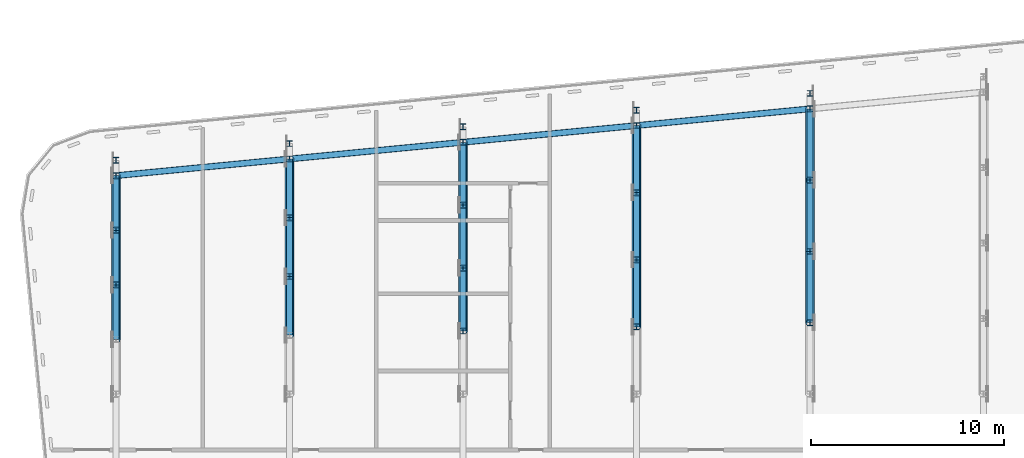
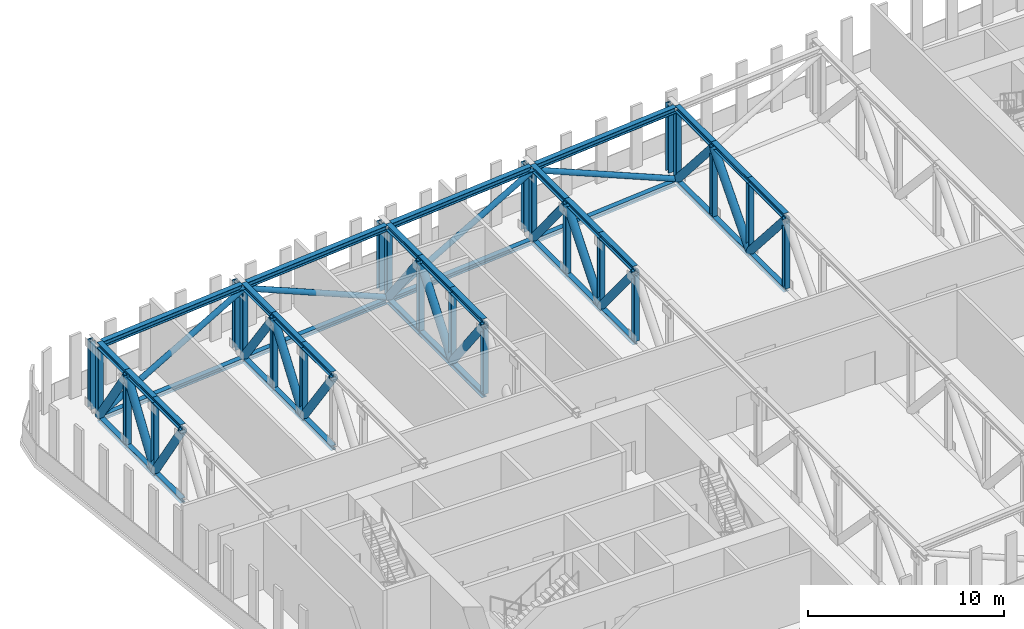
# One storey, part 4 of 22: 80 members.
"""IFC4 building model written with IfcOpenShell, lengths in metres."""

import ifcopenshell
import ifcopenshell.guid

model = None  # the IFC model being written
_history = None  # IfcOwnerHistory: only IFC2X3 demands one
_inside = {}  # id of a spatial element -> (the spatial element, [elements in it])
_under = {}  # id of a project, library or spatial element -> (it, [spatial elements below it])
_declared = {}  # id of a project -> (the project, [libraries it declares])
_typed = {}  # id of a type object -> (the type object, [elements of that type])
_made_of = {}  # id of a material, layer set ... -> (it, [elements and type objects made of it])


def new_model(schema):
    """Start an empty IFC model of exactly this schema.

    Asked for "IFC4X3", IfcOpenShell would pick the latest addendum, in which some entities
    have other attributes; the version numbers below select the first issue.
    IFC2X3 requires an IfcOwnerHistory on every rooted entity: one is made here for all.
    """
    global model, _history
    if schema == "IFC4X3":
        model = ifcopenshell.file(schema_version=(4, 3, 0, 0))
    else:
        model = ifcopenshell.file(schema=schema)
    _inside.clear()
    _under.clear()
    _declared.clear()
    _typed.clear()
    _made_of.clear()
    _history = None
    if model.schema == "IFC2X3":
        org = make("IfcOrganization", Name="unknown")
        user = make(
            "IfcPersonAndOrganization",
            ThePerson=make("IfcPerson", FamilyName="unknown"),
            TheOrganization=org,
        )
        app = make(
            "IfcApplication",
            ApplicationDeveloper=org,
            Version="unknown",
            ApplicationFullName="unknown",
            ApplicationIdentifier="unknown",
        )
        _history = make(
            "IfcOwnerHistory",
            OwningUser=user,
            OwningApplication=app,
            ChangeAction="ADDED",
            CreationDate=0,
        )
    return model


def make(cls, **values):
    """One entity of the class cls with the attributes given. An attribute that is None is left unset."""
    return model.create_entity(
        cls, **{name: value for name, value in values.items() if value is not None}
    )


def rooted(cls, **values):
    """An entity with a GlobalId (a new one), such as an element, a storey or a relation."""
    return make(cls, GlobalId=ifcopenshell.guid.new(), OwnerHistory=_history, **values)


def si_unit(unit_type, name, prefix=None):
    """IfcSIUnit, for example si_unit("LENGTHUNIT", "METRE", prefix="MILLI")."""
    return make("IfcSIUnit", UnitType=unit_type, Prefix=prefix, Name=name)


def assignment(units):
    """IfcUnitAssignment: the units of a project."""
    return None if units is None else make("IfcUnitAssignment", Units=units)


def point(xyz):
    """IfcCartesianPoint."""
    return None if xyz is None else make("IfcCartesianPoint", Coordinates=xyz)


def direction(xyz):
    """IfcDirection."""
    return None if xyz is None else make("IfcDirection", DirectionRatios=xyz)


def frame(location, z_axis=None, x_axis=None):
    """IfcAxis2Placement3D, a coordinate frame: its origin and axes. An axis left out is left unset."""
    return make(
        "IfcAxis2Placement3D",
        Location=point(location),
        Axis=direction(z_axis),
        RefDirection=direction(x_axis),
    )


def frame_2d(location, x_axis=None):
    """IfcAxis2Placement2D, a coordinate frame in the plane: its origin and x axis."""
    return make(
        "IfcAxis2Placement2D", Location=point(location), RefDirection=direction(x_axis)
    )


def origin():
    """The frame at (0, 0, 0) with its axes left unset."""
    return frame((0.0, 0.0, 0.0))


def origin_2d():
    """The frame at (0, 0) in the plane with its x axis left unset."""
    return frame_2d((0.0, 0.0))


def place(relative_to, where):
    """IfcLocalPlacement: puts the frame where relative to a parent placement (None: the world)."""
    return make(
        "IfcLocalPlacement", PlacementRelTo=relative_to, RelativePlacement=where
    )


def context(
    kind, dimensions, precision=None, world=None, true_north=None, identifier=None
):
    """IfcGeometricRepresentationContext, for example the 3D "Model" context."""
    return make(
        "IfcGeometricRepresentationContext",
        ContextIdentifier=identifier,
        ContextType=kind,
        CoordinateSpaceDimension=dimensions,
        Precision=precision,
        WorldCoordinateSystem=world,
        TrueNorth=true_north,
    )


def subcontext(parent, identifier, kind, view, scale=None):
    """IfcGeometricRepresentationSubContext, for example "Body" below "Model"."""
    return make(
        "IfcGeometricRepresentationSubContext",
        ContextIdentifier=identifier,
        ContextType=kind,
        ParentContext=parent,
        TargetScale=scale,
        TargetView=view,
    )


def project(units=None, contexts=None):
    """IfcProject with its units and contexts."""
    return rooted(
        "IfcProject",
        Name="project",
        RepresentationContexts=contexts,
        UnitsInContext=assignment(units),
    )


def spatial(cls, under=None, at=None, **own):
    """A site, building, storey or space (cls), placed at a placement, below another one or the project."""
    s = rooted(cls, ObjectPlacement=at, **own)
    if under is not None:
        _under.setdefault(under.id(), (under, []))[1].append(s)
    return s


def profile(cls, at=None, kind="AREA", **sizes):
    """A parametric profile (cls). Its sizes go by their IFC names, for example OverallWidth=200.0."""
    return make(cls, ProfileType=kind, Position=at, **sizes)


def hollow_circle(**sizes):
    """IfcCircleHollowProfileDef."""
    return profile("IfcCircleHollowProfileDef", **sizes)


def i_section(**sizes):
    """IfcIShapeProfileDef."""
    return profile("IfcIShapeProfileDef", **sizes)


def extrude(swept, where, along, depth):
    """IfcExtrudedAreaSolid: the profile swept, set in the frame where, extruded along a direction by depth."""
    return make(
        "IfcExtrudedAreaSolid",
        SweptArea=swept,
        Position=where,
        ExtrudedDirection=direction(along),
        Depth=depth,
    )


def shape(context_of_items, identifier, shape_type, items):
    """IfcShapeRepresentation: the items that make up one representation, for example the "Body"."""
    return make(
        "IfcShapeRepresentation",
        ContextOfItems=context_of_items,
        RepresentationIdentifier=identifier,
        RepresentationType=shape_type,
        Items=items,
    )


def material(Name=None, Category=None):
    """IfcMaterial."""
    return make("IfcMaterial", Name=Name, Category=Category)


def material_profile(
    of_material, cross_section, Name=None, Category=None, Priority=None
):
    """IfcMaterialProfile: a cross section and its material."""
    return make(
        "IfcMaterialProfile",
        Name=Name,
        Material=of_material,
        Profile=cross_section,
        Priority=Priority,
        Category=Category,
    )


def profile_set(profiles, Name=None, composite=None):
    """IfcMaterialProfileSet."""
    return make(
        "IfcMaterialProfileSet",
        Name=Name,
        MaterialProfiles=profiles,
        CompositeProfile=composite,
    )


def made_of(thing, what):
    """Note that an element or type object is made of a material, layer set ...; save() writes the relation."""
    if what is not None:
        _made_of.setdefault(what.id(), (what, []))[1].append(thing)
    return thing


def type_object(cls, material=None, **own):
    """A type object (cls), such as IfcWallType, which elements share."""
    return made_of(rooted(cls, **own), material)


def element(
    cls,
    number,
    at=None,
    inside=None,
    cuts=None,
    type_object=None,
    material=None,
    context=None,
    identifier="Body",
    shape_type=None,
    held_by="IfcProductDefinitionShape",
    body=None,
    shapes=None,
    **own,
):
    """One element of the class cls, such as IfcWall. Its Tag is "e" and its number.

    at: its placement. inside: the storey or other place that contains it. cuts: it is an
    opening in that element (IfcRelVoidsElement). A single representation is given by context,
    identifier, shape_type and body (its items); several are given by shapes. held_by: the class
    of the entity that holds the representations. save() writes the other relations.
    """
    e = rooted(cls, Tag="e%d" % number, ObjectPlacement=at, **own)
    if body is not None:
        shapes = [shape(context, identifier, shape_type, body)]
    if shapes is not None:
        e.Representation = make(held_by, Representations=shapes)
    if inside is not None:
        _inside.setdefault(inside.id(), (inside, []))[1].append(e)
    if cuts is not None:
        rooted(
            "IfcRelVoidsElement", RelatingBuildingElement=cuts, RelatedOpeningElement=e
        )
    if type_object is not None:
        _typed.setdefault(type_object.id(), (type_object, []))[1].append(e)
    return made_of(e, material)


def aggregate(whole, parts):
    """IfcRelAggregates: a whole, such as a stair, and the parts it consists of."""
    return rooted("IfcRelAggregates", RelatingObject=whole, RelatedObjects=parts)


def save(model, path):
    """Write the relations noted so far, then the file.

    IfcRelAggregates (storeys below a building ...), IfcRelContainedInSpatialStructure (elements
    in a storey), IfcRelDefinesByType, IfcRelAssociatesMaterial and IfcRelDeclares: one each for
    every whole, place, type object, material and project.
    """
    for whole, parts in _under.values():
        aggregate(whole, parts)
    for where, things in _inside.values():
        rooted(
            "IfcRelContainedInSpatialStructure",
            RelatedElements=things,
            RelatingStructure=where,
        )
    for kind, things in _typed.values():
        rooted("IfcRelDefinesByType", RelatedObjects=things, RelatingType=kind)
    for what, things in _made_of.values():
        rooted("IfcRelAssociatesMaterial", RelatedObjects=things, RelatingMaterial=what)
    for by, libraries in _declared.values():
        rooted("IfcRelDeclares", RelatingContext=by, RelatedDefinitions=libraries)
    model.write(path)


model = new_model("IFC4")

# Units and contexts
model_context = context("Model", 3, precision=1e-05, world=origin(), true_north=direction((0.0, 1.0)))
body_context = subcontext(model_context, "Body", "Model", "MODEL_VIEW")
ifc_project = project(units=[si_unit("LENGTHUNIT", "METRE"), si_unit("AREAUNIT", "SQUARE_METRE"), si_unit("VOLUMEUNIT", "CUBIC_METRE"), si_unit("PLANEANGLEUNIT", "RADIAN"), si_unit("MASSUNIT", "GRAM", prefix="KILO")], contexts=[model_context])

# Site, building, storey
site_placement = place(None, origin())
site = spatial("IfcSite", under=ifc_project, at=site_placement, CompositionType="ELEMENT")
building_placement = place(site_placement, origin())
building = spatial("IfcBuilding", under=site, at=building_placement, Name="Kajstack Hotel Tower", CompositionType="ELEMENT")
storey_placement = place(building_placement, frame((0.0, 0.0, 150.39990234375)))
storey = spatial("IfcBuildingStorey", under=building, at=storey_placement, Name="L35", CompositionType="ELEMENT", Elevation=150.39990234375)

# Members
ifc_material = material(Name="Steel S355J2", Category="steel")
ifc_material_profile_1 = material_profile(ifc_material, i_section(OverallWidth=0.300048828125, OverallDepth=0.2900390625, WebThickness=0.008544921875, FlangeThickness=0.013916015625, FilletRadius=0.027099609375, at=origin_2d()), Name="HEA 300")
ifc_profile_set_1 = profile_set([ifc_material_profile_1], Name="Steel S355J2")
member_type_1 = type_object("IfcMemberType", Name="Belt truss bottom chord BB3 HEA 300", PredefinedType="CHORD", material=ifc_profile_set_1)
for number, where, z_axis, x_axis, name in (
    (1, (-35.8505859375, 15.83740234375, -0.14501953125), (0.995395510024, 0.095852900965, 0.0), (-0.095852900965, 0.995395510024, 0.0), "S-belt-truss-L35-n01-b"),
    (2, (-26.8505859375, 16.7041015625, -0.14501953125), (0.995395510024, 0.095852900965, 0.0), (-0.095852900965, 0.995395510024, 0.0), "S-belt-truss-L35-n02-b"),
    (3, (-17.8505859375, 17.57080078125, -0.14501953125), (0.995398174412, 0.095825228294, 0.0), (-0.095825228294, 0.995398174412, 0.0), "S-belt-truss-L35-n03-b"),
    (4, (-8.8505859375, 18.437255859375, -0.14501953125), (0.995395510024, 0.095852900965, 0.0), (-0.095852900965, 0.995395510024, 0.0), "S-belt-truss-L35-n04-b"),
):
    element("IfcMember", number, at=place(storey_placement, frame(where, z_axis=z_axis, x_axis=x_axis)), inside=storey, type_object=member_type_1, Name=name, PredefinedType="CHORD", context=body_context, shape_type="SweptSolid", body=[
        extrude(i_section(OverallWidth=0.300048828125, OverallDepth=0.2900390625, WebThickness=0.008544921875, FlangeThickness=0.013916015625, FilletRadius=0.027099609375, at=origin_2d()), origin(), (0.0, 0.0, 1.0), 8.741455078125),
    ])
ifc_material_profile_2 = material_profile(ifc_material, i_section(OverallWidth=0.300048828125, OverallDepth=0.2900390625, WebThickness=0.008544921875, FlangeThickness=0.013916015625, FilletRadius=0.027099609375, at=origin_2d()), Name="HEA 300")
ifc_profile_set_2 = profile_set([ifc_material_profile_2], Name="Steel S355J2")
member_type_2 = type_object("IfcMemberType", Name="Belt truss bottom chord BC3 HEA 300", PredefinedType="CHORD", material=ifc_profile_set_2)
member_1_placement = place(storey_placement, frame((-36.0, 7.330810546875, -0.14501953125), z_axis=(0.0, 1.0, 0.0), x_axis=(-1.0, 0.0, 0.0)))
element("IfcMember", 5, at=member_1_placement, inside=storey, type_object=member_type_2, Name="S-belt-truss-L35--36p0-1-bc9", PredefinedType="CHORD", context=body_context, shape_type="SweptSolid", body=[
    extrude(i_section(OverallWidth=0.300048828125, OverallDepth=0.2900390625, WebThickness=0.008544921875, FlangeThickness=0.013916015625, FilletRadius=0.027099609375, at=origin_2d()), origin(), (0.0, 0.0, 1.0), 2.830810546875),
])
member_2_placement = place(storey_placement, frame((-36.0, 10.16162109375, -0.14501953125), z_axis=(0.0, 1.0, 0.0), x_axis=(-1.0, 0.0, 0.0)))
element("IfcMember", 6, at=member_2_placement, inside=storey, type_object=member_type_2, Name="S-belt-truss-L35--36p0-1-bc10", PredefinedType="CHORD", context=body_context, shape_type="SweptSolid", body=[
    extrude(i_section(OverallWidth=0.300048828125, OverallDepth=0.2900390625, WebThickness=0.008544921875, FlangeThickness=0.013916015625, FilletRadius=0.027099609375, at=origin_2d()), origin(), (0.0, 0.0, 1.0), 2.83056640625),
])
member_3_placement = place(storey_placement, frame((-36.0, 12.9921875, -0.14501953125), z_axis=(0.0, 1.0, 0.0), x_axis=(-1.0, 0.0, 0.0)))
element("IfcMember", 7, at=member_3_placement, inside=storey, type_object=member_type_2, Name="S-belt-truss-L35--36p0-1-bc11", PredefinedType="CHORD", context=body_context, shape_type="SweptSolid", body=[
    extrude(i_section(OverallWidth=0.300048828125, OverallDepth=0.2900390625, WebThickness=0.008544921875, FlangeThickness=0.013916015625, FilletRadius=0.027099609375, at=origin_2d()), origin(), (0.0, 0.0, 1.0), 2.830810546875),
])
member_4_placement = place(storey_placement, frame((-27.0, 7.54736328125, -0.14501953125), z_axis=(0.0, 1.0, 0.0), x_axis=(-1.0, 0.0, 0.0)))
element("IfcMember", 8, at=member_4_placement, inside=storey, type_object=member_type_2, Name="S-outrigger-truss-L35--27p0-1-bc9", PredefinedType="CHORD", context=body_context, shape_type="SweptSolid", body=[
    extrude(i_section(OverallWidth=0.300048828125, OverallDepth=0.2900390625, WebThickness=0.008544921875, FlangeThickness=0.013916015625, FilletRadius=0.027099609375, at=origin_2d()), origin(), (0.0, 0.0, 1.0), 3.04736328125),
])
member_5_placement = place(storey_placement, frame((-27.0, 10.5947265625, -0.14501953125), z_axis=(0.0, 1.0, 0.0), x_axis=(-1.0, 0.0, 0.0)))
element("IfcMember", 9, at=member_5_placement, inside=storey, type_object=member_type_2, Name="S-outrigger-truss-L35--27p0-1-bc10", PredefinedType="CHORD", context=body_context, shape_type="SweptSolid", body=[
    extrude(i_section(OverallWidth=0.300048828125, OverallDepth=0.2900390625, WebThickness=0.008544921875, FlangeThickness=0.013916015625, FilletRadius=0.027099609375, at=origin_2d()), origin(), (0.0, 0.0, 1.0), 3.047607421875),
])
member_6_placement = place(storey_placement, frame((-27.0, 13.642333984375, -0.14501953125), z_axis=(0.0, 1.0, 0.0), x_axis=(-1.0, 0.0, 0.0)))
element("IfcMember", 10, at=member_6_placement, inside=storey, type_object=member_type_2, Name="S-outrigger-truss-L35--27p0-1-bc11", PredefinedType="CHORD", context=body_context, shape_type="SweptSolid", body=[
    extrude(i_section(OverallWidth=0.300048828125, OverallDepth=0.2900390625, WebThickness=0.008544921875, FlangeThickness=0.013916015625, FilletRadius=0.027099609375, at=origin_2d()), origin(), (0.0, 0.0, 1.0), 3.04736328125),
])
member_7_placement = place(storey_placement, frame((-18.0, 7.76416015625, -0.14501953125), z_axis=(0.0, 1.0, 0.0), x_axis=(-1.0, 0.0, 0.0)))
element("IfcMember", 11, at=member_7_placement, inside=storey, type_object=member_type_2, Name="S-outrigger-truss-L35--18p0-1-bc9", PredefinedType="CHORD", context=body_context, shape_type="SweptSolid", body=[
    extrude(i_section(OverallWidth=0.300048828125, OverallDepth=0.2900390625, WebThickness=0.008544921875, FlangeThickness=0.013916015625, FilletRadius=0.027099609375, at=origin_2d()), origin(), (0.0, 0.0, 1.0), 3.26416015625),
])
member_8_placement = place(storey_placement, frame((-18.0, 11.0283203125, -0.14501953125), z_axis=(0.0, 1.0, 0.0), x_axis=(-1.0, 0.0, 0.0)))
element("IfcMember", 12, at=member_8_placement, inside=storey, type_object=member_type_2, Name="S-outrigger-truss-L35--18p0-1-bc10", PredefinedType="CHORD", context=body_context, shape_type="SweptSolid", body=[
    extrude(i_section(OverallWidth=0.300048828125, OverallDepth=0.2900390625, WebThickness=0.008544921875, FlangeThickness=0.013916015625, FilletRadius=0.027099609375, at=origin_2d()), origin(), (0.0, 0.0, 1.0), 3.263916015625),
])
member_9_placement = place(storey_placement, frame((-18.0, 14.292236328125, -0.14501953125), z_axis=(0.0, 1.0, 0.0), x_axis=(-1.0, 0.0, 0.0)))
element("IfcMember", 13, at=member_9_placement, inside=storey, type_object=member_type_2, Name="S-outrigger-truss-L35--18p0-1-bc11", PredefinedType="CHORD", context=body_context, shape_type="SweptSolid", body=[
    extrude(i_section(OverallWidth=0.300048828125, OverallDepth=0.2900390625, WebThickness=0.008544921875, FlangeThickness=0.013916015625, FilletRadius=0.027099609375, at=origin_2d()), origin(), (0.0, 0.0, 1.0), 3.26416015625),
])
for number, where, z_axis, x_axis, name in (
    (14, (-9.0, 7.980712890625, -0.14501953125), (0.0, 1.0, 0.0), (-1.0, 0.0, 0.0), "S-belt-truss-L35--9p0-1-bc18"),
    (15, (-9.0, 11.46142578125, -0.14501953125), (0.0, 1.0, 0.0), (-1.0, 0.0, 0.0), "S-belt-truss-L35--9p0-1-bc19"),
    (16, (-9.0, 14.942138671875, -0.14501953125), (0.0, 1.0, 0.0), (-1.0, 0.0, 0.0), "S-belt-truss-L35--9p0-1-bc20"),
):
    element("IfcMember", number, at=place(storey_placement, frame(where, z_axis=z_axis, x_axis=x_axis)), inside=storey, type_object=member_type_2, Name=name, PredefinedType="CHORD", context=body_context, shape_type="SweptSolid", body=[
        extrude(i_section(OverallWidth=0.300048828125, OverallDepth=0.2900390625, WebThickness=0.008544921875, FlangeThickness=0.013916015625, FilletRadius=0.027099609375, at=origin_2d()), origin(), (0.0, 0.0, 1.0), 3.480712890625),
    ])
for number, where, z_axis, x_axis, name in (
    (17, (0.0, 8.197509765625, -0.14501953125), (0.0, 1.0, 0.0), (-1.0, 0.0, 0.0), "S-belt-truss-L35-+0p0-1-bc18"),
    (18, (0.0, 11.894775390625, -0.14501953125), (0.0, 1.0, 0.0), (-1.0, 0.0, 0.0), "S-belt-truss-L35-+0p0-1-bc19"),
):
    element("IfcMember", number, at=place(storey_placement, frame(where, z_axis=z_axis, x_axis=x_axis)), inside=storey, type_object=member_type_2, Name=name, PredefinedType="CHORD", context=body_context, shape_type="SweptSolid", body=[
        extrude(i_section(OverallWidth=0.300048828125, OverallDepth=0.2900390625, WebThickness=0.008544921875, FlangeThickness=0.013916015625, FilletRadius=0.027099609375, at=origin_2d()), origin(), (0.0, 0.0, 1.0), 3.697265625),
    ])
member_10_placement = place(storey_placement, frame((0.0, 15.592041015625, -0.14501953125), z_axis=(0.0, 1.0, 0.0), x_axis=(-1.0, 0.0, 0.0)))
element("IfcMember", 19, at=member_10_placement, inside=storey, type_object=member_type_2, Name="S-belt-truss-L35-+0p0-1-bc20", PredefinedType="CHORD", context=body_context, shape_type="SweptSolid", body=[
    extrude(i_section(OverallWidth=0.300048828125, OverallDepth=0.2900390625, WebThickness=0.008544921875, FlangeThickness=0.013916015625, FilletRadius=0.027099609375, at=origin_2d()), origin(), (0.0, 0.0, 1.0), 3.697509765625),
])
ifc_material_profile_3 = material_profile(ifc_material, hollow_circle(Radius=0.161865234375, WallThickness=0.012451171875, at=origin_2d()), Name="CHS 323.9x12.5")
ifc_profile_set_3 = profile_set([ifc_material_profile_3], Name="Steel S355J2")
member_type_3 = type_object("IfcMemberType", Name="Belt truss diagonal BD3 CHS 323.9x12.5", PredefinedType="BRACE", material=ifc_profile_set_3)
for number, where, z_axis, x_axis, name in (
    (20, (-36.0, 15.822998046875, 0.0), (0.90122340878, 0.086787736034, 0.42457538358), (-0.095856468129, 0.995395166513, 0.0), "S-belt-truss-L35-n01-d"),
    (21, (-18.0, 17.556396484375, 0.0), (-0.90122340878, -0.086787736034, 0.42457538358), (0.095856468129, -0.995395166513, 0.0), "S-belt-truss-L35-n02-d"),
    (22, (-18.0, 17.556396484375, 0.0), (0.901225320661, 0.086763472847, 0.424576284286), (-0.095829714309, 0.995397742541, 0.0), "S-belt-truss-L35-n03-d"),
    (23, (0.0, 19.28955078125, 0.0), (-0.90122340878, -0.086787736034, 0.42457538358), (0.095856468129, -0.995395166513, 0.0), "S-belt-truss-L35-n04-d"),
):
    element("IfcMember", number, at=place(storey_placement, frame(where, z_axis=z_axis, x_axis=x_axis)), inside=storey, type_object=member_type_3, Name=name, PredefinedType="BRACE", context=body_context, shape_type="SweptSolid", body=[
        extrude(hollow_circle(Radius=0.161865234375, WallThickness=0.012451171875, at=origin_2d()), origin(), (0.0, 0.0, 1.0), 9.986328125),
    ])
ifc_material_profile_4 = material_profile(ifc_material, hollow_circle(Radius=0.228515625, WallThickness=0.02001953125, at=origin_2d()), Name="CHS 457x20")
ifc_profile_set_4 = profile_set([ifc_material_profile_4], Name="Steel S355J2")
member_type_4 = type_object("IfcMemberType", Name="Belt truss diagonal DG3 CHS 457x20", PredefinedType="BRACE", material=ifc_profile_set_4)
member_11_placement = place(storey_placement, frame((-36.0, 10.16162109375, 0.0), z_axis=(0.0, -0.555263676242, 0.831674365269), x_axis=(1.0, 0.0, 0.0)))
element("IfcMember", 24, at=member_11_placement, inside=storey, type_object=member_type_4, Name="S-belt-truss-L35--36p0-1-dg20", PredefinedType="BRACE", context=body_context, shape_type="SweptSolid", body=[
    extrude(hollow_circle(Radius=0.228515625, WallThickness=0.02001953125, at=origin_2d()), origin(), (0.0, 0.0, 1.0), 5.09814453125),
])
member_12_placement = place(storey_placement, frame((-36.0, 10.16162109375, 0.0), z_axis=(0.0, 0.555230551503, 0.8316964799), x_axis=(-1.0, 0.0, 0.0)))
element("IfcMember", 25, at=member_12_placement, inside=storey, type_object=member_type_4, Name="S-belt-truss-L35--36p0-1-dg21", PredefinedType="BRACE", context=body_context, shape_type="SweptSolid", body=[
    extrude(hollow_circle(Radius=0.228515625, WallThickness=0.02001953125, at=origin_2d()), origin(), (0.0, 0.0, 1.0), 5.097900390625),
])
member_13_placement = place(storey_placement, frame((-36.0, 15.822998046875, 0.0), z_axis=(0.0, -0.555263676242, 0.831674365269), x_axis=(1.0, 0.0, 0.0)))
element("IfcMember", 26, at=member_13_placement, inside=storey, type_object=member_type_4, Name="S-belt-truss-L35--36p0-1-dg22", PredefinedType="BRACE", context=body_context, shape_type="SweptSolid", body=[
    extrude(hollow_circle(Radius=0.228515625, WallThickness=0.02001953125, at=origin_2d()), origin(), (0.0, 0.0, 1.0), 5.09814453125),
])
member_14_placement = place(storey_placement, frame((-27.0, 10.5947265625, 0.0), z_axis=(0.0, -0.583619669569, 0.812027143199), x_axis=(1.0, 0.0, 0.0)))
element("IfcMember", 27, at=member_14_placement, inside=storey, type_object=member_type_4, Name="S-outrigger-truss-L35--27p0-1-dg20", PredefinedType="BRACE", context=body_context, shape_type="SweptSolid", body=[
    extrude(hollow_circle(Radius=0.228515625, WallThickness=0.02001953125, at=origin_2d()), origin(), (0.0, 0.0, 1.0), 5.221435546875),
])
member_15_placement = place(storey_placement, frame((-27.0, 10.5947265625, 0.0), z_axis=(0.0, 0.583650499252, 0.81200498442), x_axis=(-1.0, 0.0, 0.0)))
element("IfcMember", 28, at=member_15_placement, inside=storey, type_object=member_type_4, Name="S-outrigger-truss-L35--27p0-1-dg21", PredefinedType="BRACE", context=body_context, shape_type="SweptSolid", body=[
    extrude(hollow_circle(Radius=0.228515625, WallThickness=0.02001953125, at=origin_2d()), origin(), (0.0, 0.0, 1.0), 5.2216796875),
])
member_16_placement = place(storey_placement, frame((-27.0, 16.689697265625, 0.0), z_axis=(0.0, -0.583619669569, 0.812027143199), x_axis=(1.0, 0.0, 0.0)))
element("IfcMember", 29, at=member_16_placement, inside=storey, type_object=member_type_4, Name="S-outrigger-truss-L35--27p0-1-dg22", PredefinedType="BRACE", context=body_context, shape_type="SweptSolid", body=[
    extrude(hollow_circle(Radius=0.228515625, WallThickness=0.02001953125, at=origin_2d()), origin(), (0.0, 0.0, 1.0), 5.221435546875),
])
for number, where, z_axis, x_axis, name in (
    (30, (-18.0, 11.0283203125, 0.0), (0.0, -0.61001941086, 0.792386470337), (1.0, 0.0, 0.0), "S-outrigger-truss-L35--18p0-1-dg20"),
    (31, (-18.0, 11.0283203125, 0.0), (0.0, 0.609990762189, 0.792408524717), (-1.0, 0.0, 0.0), "S-outrigger-truss-L35--18p0-1-dg21"),
    (32, (-18.0, 17.556396484375, 0.0), (0.0, -0.61001941086, 0.792386470337), (1.0, 0.0, 0.0), "S-outrigger-truss-L35--18p0-1-dg22"),
):
    element("IfcMember", number, at=place(storey_placement, frame(where, z_axis=z_axis, x_axis=x_axis)), inside=storey, type_object=member_type_4, Name=name, PredefinedType="BRACE", context=body_context, shape_type="SweptSolid", body=[
        extrude(hollow_circle(Radius=0.228515625, WallThickness=0.02001953125, at=origin_2d()), origin(), (0.0, 0.0, 1.0), 5.350830078125),
    ])
for number, where, z_axis, x_axis, name in (
    (33, (-9.0, 11.46142578125, 0.0), (0.0, -0.634506870738, 0.772917221303), (1.0, 0.0, 0.0), "S-belt-truss-L35--9p0-1-dg38"),
    (34, (-9.0, 11.46142578125, 0.0), (0.0, 0.634506870738, 0.772917221303), (-1.0, 0.0, 0.0), "S-belt-truss-L35--9p0-1-dg39"),
    (35, (-9.0, 18.4228515625, 0.0), (0.0, -0.634506870738, 0.772917221303), (1.0, 0.0, 0.0), "S-belt-truss-L35--9p0-1-dg40"),
):
    element("IfcMember", number, at=place(storey_placement, frame(where, z_axis=z_axis, x_axis=x_axis)), inside=storey, type_object=member_type_4, Name=name, PredefinedType="BRACE", context=body_context, shape_type="SweptSolid", body=[
        extrude(hollow_circle(Radius=0.228515625, WallThickness=0.02001953125, at=origin_2d()), origin(), (0.0, 0.0, 1.0), 5.485595703125),
    ])
for number, where, z_axis, x_axis, name in (
    (36, (0.0, 11.894775390625, 0.0), (0.0, -0.657222446366, 0.753696660462), (1.0, 0.0, 0.0), "S-belt-truss-L35-+0p0-1-dg38"),
    (37, (0.0, 11.894775390625, 0.0), (0.0, 0.657222446366, 0.753696660462), (-1.0, 0.0, 0.0), "S-belt-truss-L35-+0p0-1-dg39"),
):
    element("IfcMember", number, at=place(storey_placement, frame(where, z_axis=z_axis, x_axis=x_axis)), inside=storey, type_object=member_type_4, Name=name, PredefinedType="BRACE", context=body_context, shape_type="SweptSolid", body=[
        extrude(hollow_circle(Radius=0.228515625, WallThickness=0.02001953125, at=origin_2d()), origin(), (0.0, 0.0, 1.0), 5.62548828125),
    ])
member_17_placement = place(storey_placement, frame((0.0, 19.28955078125, 0.0), z_axis=(0.0, -0.657247098039, 0.753675163528), x_axis=(1.0, 0.0, 0.0)))
element("IfcMember", 38, at=member_17_placement, inside=storey, type_object=member_type_4, Name="S-belt-truss-L35-+0p0-1-dg40", PredefinedType="BRACE", context=body_context, shape_type="SweptSolid", body=[
    extrude(hollow_circle(Radius=0.228515625, WallThickness=0.02001953125, at=origin_2d()), origin(), (0.0, 0.0, 1.0), 5.625732421875),
])
ifc_material_profile_5 = material_profile(ifc_material, i_section(OverallWidth=0.300048828125, OverallDepth=0.300048828125, WebThickness=0.010986328125, FlangeThickness=0.01904296875, FilletRadius=0.027099609375, at=origin_2d()), Name="HEB 300")
ifc_profile_set_5 = profile_set([ifc_material_profile_5], Name="Steel S355J2")
member_type_5 = type_object("IfcMemberType", Name="Belt truss post PO3 HEB 300", PredefinedType="POST", material=ifc_profile_set_5)
for number, where, z_axis, x_axis, name in (
    (39, (-36.0, 10.16162109375, 0.0), (0.0, 0.0, 1.0), (1.0, 0.0, 0.0), "S-belt-truss-L35--36p0-1-po15"),
    (40, (-36.0, 12.9921875, 0.0), (0.0, 0.0, 1.0), (1.0, 0.0, 0.0), "S-belt-truss-L35--36p0-1-po16"),
    (41, (-36.0, 15.822998046875, 0.0), (0.0, 0.0, 1.0), (1.0, 0.0, 0.0), "S-belt-truss-L35--36p0-1-po17"),
    (42, (-36.0, 16.623046875, 0.0), (0.0, 0.0, 1.0), (1.0, 0.0, 0.0), "S-belt-truss-L35--36p0-1-po18"),
    (43, (-27.0, 10.5947265625, 0.0), (0.0, 0.0, 1.0), (1.0, 0.0, 0.0), "S-outrigger-truss-L35--27p0-1-po15"),
    (44, (-27.0, 13.642333984375, 0.0), (0.0, 0.0, 1.0), (1.0, 0.0, 0.0), "S-outrigger-truss-L35--27p0-1-po16"),
    (45, (-27.0, 16.689697265625, 0.0), (0.0, 0.0, 1.0), (1.0, 0.0, 0.0), "S-outrigger-truss-L35--27p0-1-po17"),
    (46, (-27.0, 17.48974609375, 0.0), (0.0, 0.0, 1.0), (1.0, 0.0, 0.0), "S-outrigger-truss-L35--27p0-1-po18"),
    (47, (-18.0, 7.76416015625, 0.0), (0.0, 0.0, 1.0), (1.0, 0.0, 0.0), "S-outrigger-truss-L35--18p0-1-po14"),
    (48, (-18.0, 11.0283203125, 0.0), (0.0, 0.0, 1.0), (1.0, 0.0, 0.0), "S-outrigger-truss-L35--18p0-1-po15"),
    (49, (-18.0, 14.292236328125, 0.0), (0.0, 0.0, 1.0), (1.0, 0.0, 0.0), "S-outrigger-truss-L35--18p0-1-po16"),
    (50, (-18.0, 17.556396484375, 0.0), (0.0, 0.0, 1.0), (1.0, 0.0, 0.0), "S-outrigger-truss-L35--18p0-1-po17"),
    (51, (-18.0, 18.356201171875, 0.0), (0.0, 0.0, 1.0), (1.0, 0.0, 0.0), "S-outrigger-truss-L35--18p0-1-po18"),
    (52, (-9.0, 7.980712890625, 0.0), (0.0, 0.0, 1.0), (1.0, 0.0, 0.0), "S-belt-truss-L35--9p0-1-po28"),
    (53, (-9.0, 11.46142578125, 0.0), (0.0, 0.0, 1.0), (1.0, 0.0, 0.0), "S-belt-truss-L35--9p0-1-po29"),
    (54, (-9.0, 14.942138671875, 0.0), (0.0, 0.0, 1.0), (1.0, 0.0, 0.0), "S-belt-truss-L35--9p0-1-po30"),
    (55, (-9.0, 18.4228515625, 0.0), (0.0, 0.0, 1.0), (1.0, 0.0, 0.0), "S-belt-truss-L35--9p0-1-po31"),
    (56, (-9.0, 19.222900390625, 0.0), (0.0, 0.0, 1.0), (1.0, 0.0, 0.0), "S-belt-truss-L35--9p0-1-po32"),
    (57, (0.0, 8.197509765625, 0.0), (0.0, 0.0, 1.0), (1.0, 0.0, 0.0), "S-belt-truss-L35-+0p0-1-po28"),
    (58, (0.0, 11.894775390625, 0.0), (0.0, 0.0, 1.0), (1.0, 0.0, 0.0), "S-belt-truss-L35-+0p0-1-po29"),
    (59, (0.0, 15.592041015625, 0.0), (0.0, 0.0, 1.0), (1.0, 0.0, 0.0), "S-belt-truss-L35-+0p0-1-po30"),
    (60, (0.0, 19.28955078125, 0.0), (0.0, 0.0, 1.0), (1.0, 0.0, 0.0), "S-belt-truss-L35-+0p0-1-po31"),
    (61, (0.0, 20.089599609375, 0.0), (0.0, 0.0, 1.0), (1.0, 0.0, 0.0), "S-belt-truss-L35-+0p0-1-po32"),
):
    element("IfcMember", number, at=place(storey_placement, frame(where, z_axis=z_axis, x_axis=x_axis)), inside=storey, type_object=member_type_5, Name=name, PredefinedType="POST", context=body_context, shape_type="SweptSolid", body=[
        extrude(i_section(OverallWidth=0.300048828125, OverallDepth=0.300048828125, WebThickness=0.010986328125, FlangeThickness=0.01904296875, FilletRadius=0.027099609375, at=origin_2d()), origin(), (0.0, 0.0, 1.0), 4.239990234375),
    ])
ifc_material_profile_6 = material_profile(ifc_material, i_section(OverallWidth=0.300048828125, OverallDepth=0.360107421875, WebThickness=0.012451171875, FlangeThickness=0.0224609375, FilletRadius=0.027099609375, at=origin_2d()), Name="HEB 360")
ifc_profile_set_6 = profile_set([ifc_material_profile_6], Name="Steel S355J2")
member_type_6 = type_object("IfcMemberType", Name="Belt truss top chord BT3 HEB 360", PredefinedType="CHORD", material=ifc_profile_set_6)
for number, where, z_axis, x_axis, name in (
    (62, (-35.8505859375, 15.83740234375, 4.420166015625), (0.995395510024, 0.095852900965, 0.0), (-0.095852900965, 0.995395510024, 0.0), "S-belt-truss-L35-n01-t"),
    (63, (-26.8505859375, 16.7041015625, 4.420166015625), (0.995395510024, 0.095852900965, 0.0), (-0.095852900965, 0.995395510024, 0.0), "S-belt-truss-L35-n02-t"),
    (64, (-17.8505859375, 17.57080078125, 4.420166015625), (0.995398174412, 0.095825228294, 0.0), (-0.095825228294, 0.995398174412, 0.0), "S-belt-truss-L35-n03-t"),
    (65, (-8.8505859375, 18.437255859375, 4.420166015625), (0.995395510024, 0.095852900965, 0.0), (-0.095852900965, 0.995395510024, 0.0), "S-belt-truss-L35-n04-t"),
):
    element("IfcMember", number, at=place(storey_placement, frame(where, z_axis=z_axis, x_axis=x_axis)), inside=storey, type_object=member_type_6, Name=name, PredefinedType="CHORD", context=body_context, shape_type="SweptSolid", body=[
        extrude(i_section(OverallWidth=0.300048828125, OverallDepth=0.360107421875, WebThickness=0.012451171875, FlangeThickness=0.0224609375, FilletRadius=0.027099609375, at=origin_2d()), origin(), (0.0, 0.0, 1.0), 8.741455078125),
    ])
ifc_material_profile_7 = material_profile(ifc_material, i_section(OverallWidth=0.300048828125, OverallDepth=0.360107421875, WebThickness=0.012451171875, FlangeThickness=0.0224609375, FilletRadius=0.027099609375, at=origin_2d()), Name="HEB 360")
ifc_profile_set_7 = profile_set([ifc_material_profile_7], Name="Steel S355J2")
member_type_7 = type_object("IfcMemberType", Name="Belt truss top chord TC3 HEB 360", PredefinedType="CHORD", material=ifc_profile_set_7)
member_18_placement = place(storey_placement, frame((-36.0, 7.330810546875, 4.420166015625), z_axis=(0.0, 1.0, 0.0), x_axis=(-1.0, 0.0, 0.0)))
element("IfcMember", 66, at=member_18_placement, inside=storey, type_object=member_type_7, Name="S-belt-truss-L35--36p0-1-tc3", PredefinedType="CHORD", context=body_context, shape_type="SweptSolid", body=[
    extrude(i_section(OverallWidth=0.300048828125, OverallDepth=0.360107421875, WebThickness=0.012451171875, FlangeThickness=0.0224609375, FilletRadius=0.027099609375, at=origin_2d()), origin(), (0.0, 0.0, 1.0), 2.830810546875),
])
member_19_placement = place(storey_placement, frame((-36.0, 10.16162109375, 4.420166015625), z_axis=(0.0, 1.0, 0.0), x_axis=(-1.0, 0.0, 0.0)))
element("IfcMember", 67, at=member_19_placement, inside=storey, type_object=member_type_7, Name="S-belt-truss-L35--36p0-1-tc4", PredefinedType="CHORD", context=body_context, shape_type="SweptSolid", body=[
    extrude(i_section(OverallWidth=0.300048828125, OverallDepth=0.360107421875, WebThickness=0.012451171875, FlangeThickness=0.0224609375, FilletRadius=0.027099609375, at=origin_2d()), origin(), (0.0, 0.0, 1.0), 2.83056640625),
])
member_20_placement = place(storey_placement, frame((-36.0, 12.9921875, 4.420166015625), z_axis=(0.0, 1.0, 0.0), x_axis=(-1.0, 0.0, 0.0)))
element("IfcMember", 68, at=member_20_placement, inside=storey, type_object=member_type_7, Name="S-belt-truss-L35--36p0-1-tc5", PredefinedType="CHORD", context=body_context, shape_type="SweptSolid", body=[
    extrude(i_section(OverallWidth=0.300048828125, OverallDepth=0.360107421875, WebThickness=0.012451171875, FlangeThickness=0.0224609375, FilletRadius=0.027099609375, at=origin_2d()), origin(), (0.0, 0.0, 1.0), 2.830810546875),
])
member_21_placement = place(storey_placement, frame((-27.0, 7.54736328125, 4.420166015625), z_axis=(0.0, 1.0, 0.0), x_axis=(-1.0, 0.0, 0.0)))
element("IfcMember", 69, at=member_21_placement, inside=storey, type_object=member_type_7, Name="S-outrigger-truss-L35--27p0-1-tc3", PredefinedType="CHORD", context=body_context, shape_type="SweptSolid", body=[
    extrude(i_section(OverallWidth=0.300048828125, OverallDepth=0.360107421875, WebThickness=0.012451171875, FlangeThickness=0.0224609375, FilletRadius=0.027099609375, at=origin_2d()), origin(), (0.0, 0.0, 1.0), 3.04736328125),
])
member_22_placement = place(storey_placement, frame((-27.0, 10.5947265625, 4.420166015625), z_axis=(0.0, 1.0, 0.0), x_axis=(-1.0, 0.0, 0.0)))
element("IfcMember", 70, at=member_22_placement, inside=storey, type_object=member_type_7, Name="S-outrigger-truss-L35--27p0-1-tc4", PredefinedType="CHORD", context=body_context, shape_type="SweptSolid", body=[
    extrude(i_section(OverallWidth=0.300048828125, OverallDepth=0.360107421875, WebThickness=0.012451171875, FlangeThickness=0.0224609375, FilletRadius=0.027099609375, at=origin_2d()), origin(), (0.0, 0.0, 1.0), 3.047607421875),
])
member_23_placement = place(storey_placement, frame((-27.0, 13.642333984375, 4.420166015625), z_axis=(0.0, 1.0, 0.0), x_axis=(-1.0, 0.0, 0.0)))
element("IfcMember", 71, at=member_23_placement, inside=storey, type_object=member_type_7, Name="S-outrigger-truss-L35--27p0-1-tc5", PredefinedType="CHORD", context=body_context, shape_type="SweptSolid", body=[
    extrude(i_section(OverallWidth=0.300048828125, OverallDepth=0.360107421875, WebThickness=0.012451171875, FlangeThickness=0.0224609375, FilletRadius=0.027099609375, at=origin_2d()), origin(), (0.0, 0.0, 1.0), 3.04736328125),
])
member_24_placement = place(storey_placement, frame((-18.0, 7.76416015625, 4.420166015625), z_axis=(0.0, 1.0, 0.0), x_axis=(-1.0, 0.0, 0.0)))
element("IfcMember", 72, at=member_24_placement, inside=storey, type_object=member_type_7, Name="S-outrigger-truss-L35--18p0-1-tc3", PredefinedType="CHORD", context=body_context, shape_type="SweptSolid", body=[
    extrude(i_section(OverallWidth=0.300048828125, OverallDepth=0.360107421875, WebThickness=0.012451171875, FlangeThickness=0.0224609375, FilletRadius=0.027099609375, at=origin_2d()), origin(), (0.0, 0.0, 1.0), 3.26416015625),
])
member_25_placement = place(storey_placement, frame((-18.0, 11.0283203125, 4.420166015625), z_axis=(0.0, 1.0, 0.0), x_axis=(-1.0, 0.0, 0.0)))
element("IfcMember", 73, at=member_25_placement, inside=storey, type_object=member_type_7, Name="S-outrigger-truss-L35--18p0-1-tc4", PredefinedType="CHORD", context=body_context, shape_type="SweptSolid", body=[
    extrude(i_section(OverallWidth=0.300048828125, OverallDepth=0.360107421875, WebThickness=0.012451171875, FlangeThickness=0.0224609375, FilletRadius=0.027099609375, at=origin_2d()), origin(), (0.0, 0.0, 1.0), 3.263916015625),
])
member_26_placement = place(storey_placement, frame((-18.0, 14.292236328125, 4.420166015625), z_axis=(0.0, 1.0, 0.0), x_axis=(-1.0, 0.0, 0.0)))
element("IfcMember", 74, at=member_26_placement, inside=storey, type_object=member_type_7, Name="S-outrigger-truss-L35--18p0-1-tc5", PredefinedType="CHORD", context=body_context, shape_type="SweptSolid", body=[
    extrude(i_section(OverallWidth=0.300048828125, OverallDepth=0.360107421875, WebThickness=0.012451171875, FlangeThickness=0.0224609375, FilletRadius=0.027099609375, at=origin_2d()), origin(), (0.0, 0.0, 1.0), 3.26416015625),
])
for number, where, z_axis, x_axis, name in (
    (75, (-9.0, 7.980712890625, 4.420166015625), (0.0, 1.0, 0.0), (-1.0, 0.0, 0.0), "S-belt-truss-L35--9p0-1-tc8"),
    (76, (-9.0, 11.46142578125, 4.420166015625), (0.0, 1.0, 0.0), (-1.0, 0.0, 0.0), "S-belt-truss-L35--9p0-1-tc9"),
    (77, (-9.0, 14.942138671875, 4.420166015625), (0.0, 1.0, 0.0), (-1.0, 0.0, 0.0), "S-belt-truss-L35--9p0-1-tc10"),
):
    element("IfcMember", number, at=place(storey_placement, frame(where, z_axis=z_axis, x_axis=x_axis)), inside=storey, type_object=member_type_7, Name=name, PredefinedType="CHORD", context=body_context, shape_type="SweptSolid", body=[
        extrude(i_section(OverallWidth=0.300048828125, OverallDepth=0.360107421875, WebThickness=0.012451171875, FlangeThickness=0.0224609375, FilletRadius=0.027099609375, at=origin_2d()), origin(), (0.0, 0.0, 1.0), 3.480712890625),
    ])
for number, where, z_axis, x_axis, name in (
    (78, (0.0, 8.197509765625, 4.420166015625), (0.0, 1.0, 0.0), (-1.0, 0.0, 0.0), "S-belt-truss-L35-+0p0-1-tc8"),
    (79, (0.0, 11.894775390625, 4.420166015625), (0.0, 1.0, 0.0), (-1.0, 0.0, 0.0), "S-belt-truss-L35-+0p0-1-tc9"),
):
    element("IfcMember", number, at=place(storey_placement, frame(where, z_axis=z_axis, x_axis=x_axis)), inside=storey, type_object=member_type_7, Name=name, PredefinedType="CHORD", context=body_context, shape_type="SweptSolid", body=[
        extrude(i_section(OverallWidth=0.300048828125, OverallDepth=0.360107421875, WebThickness=0.012451171875, FlangeThickness=0.0224609375, FilletRadius=0.027099609375, at=origin_2d()), origin(), (0.0, 0.0, 1.0), 3.697265625),
    ])
member_27_placement = place(storey_placement, frame((0.0, 15.592041015625, 4.420166015625), z_axis=(0.0, 1.0, 0.0), x_axis=(-1.0, 0.0, 0.0)))
element("IfcMember", 80, at=member_27_placement, inside=storey, type_object=member_type_7, Name="S-belt-truss-L35-+0p0-1-tc10", PredefinedType="CHORD", context=body_context, shape_type="SweptSolid", body=[
    extrude(i_section(OverallWidth=0.300048828125, OverallDepth=0.360107421875, WebThickness=0.012451171875, FlangeThickness=0.0224609375, FilletRadius=0.027099609375, at=origin_2d()), origin(), (0.0, 0.0, 1.0), 3.697509765625),
])

save(model, "model.ifc")
